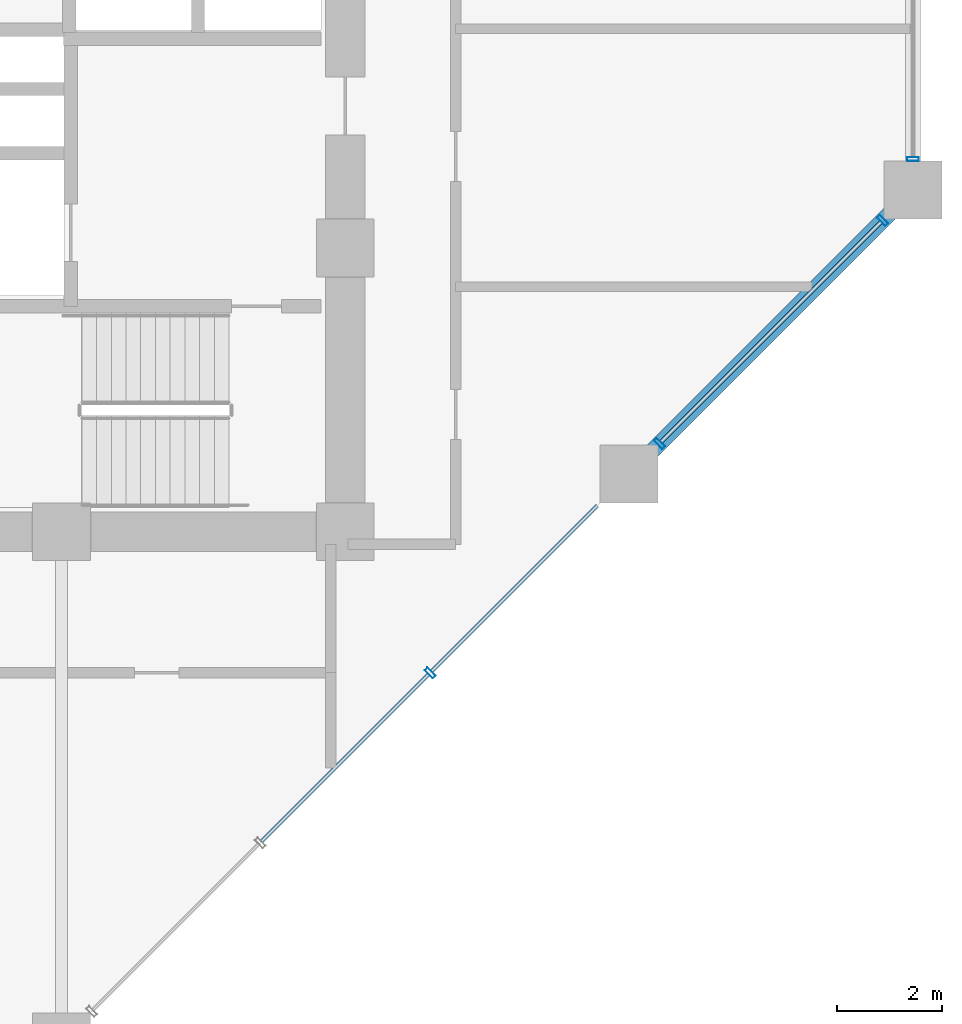
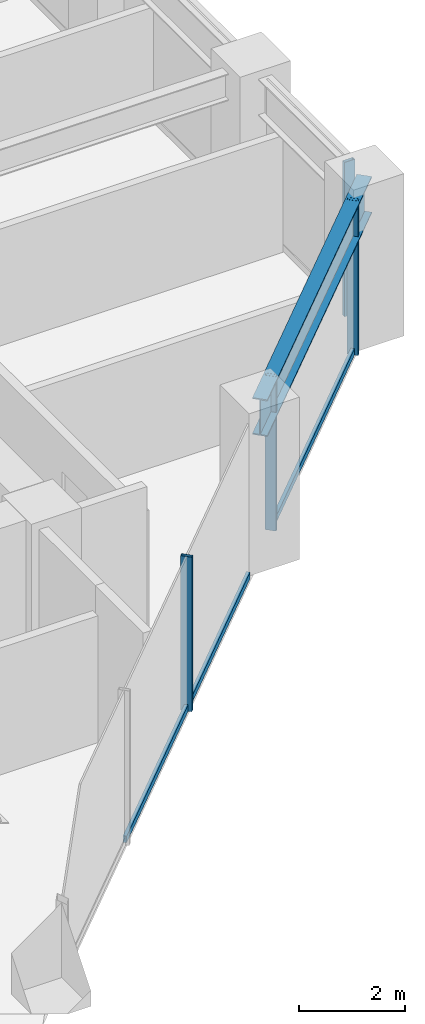
# One storey, part 8 of 25: 7 members, 1 beam, 2 elements without a shape of their own.
"""IFC4 building model written with IfcOpenShell, lengths in metres."""

from ifc_helpers import new_model, si_unit, direction, frame, origin, origin_2d, place, context, subcontext, project, spatial, hollow_rectangle, i_section, extrude, material, layer, layer_set, material_profile, profile_set, type_object, element, aggregate, save


model = new_model("IFC4")

# Units and contexts
model_context = context("Model", 3, precision=1e-05, world=origin(), true_north=direction((0.0, 1.0)))
body_context = subcontext(model_context, "Body", "Model", "MODEL_VIEW")
ifc_project = project(units=[si_unit("LENGTHUNIT", "METRE"), si_unit("AREAUNIT", "SQUARE_METRE"), si_unit("VOLUMEUNIT", "CUBIC_METRE"), si_unit("PLANEANGLEUNIT", "RADIAN"), si_unit("MASSUNIT", "GRAM", prefix="KILO")], contexts=[model_context])

# Site, building, storey
site_placement = place(None, origin())
site = spatial("IfcSite", under=ifc_project, at=site_placement, CompositionType="ELEMENT")
building_placement = place(site_placement, origin())
building = spatial("IfcBuilding", under=site, at=building_placement, Name="Surkhivell Harbour Commons", CompositionType="ELEMENT")
storey_placement = place(building_placement, frame((0.0, 0.0, 109.5)))
storey = spatial("IfcBuildingStorey", under=building, at=storey_placement, Name="L28", CompositionType="ELEMENT", Elevation=109.5)

# Beam
ifc_material_1 = material(Name="Steel S460", Category="steel")
ifc_material_profile_1 = material_profile(ifc_material_1, i_section(OverallWidth=0.2939453125, OverallDepth=0.85107421875, WebThickness=0.01611328125, FlangeThickness=0.02685546875, at=origin_2d()), Name="UB838x292x226")
ifc_profile_set_1 = profile_set([ifc_material_profile_1], Name="Steel S460")
beam_type = type_object("IfcBeamType", Name="BM-SPN-838", PredefinedType="SPANDREL", material=ifc_profile_set_1)
beam_placement = place(storey_placement, frame((16.199951171875, -9.699951171875, 3.14453125), z_axis=(0.707122765516, 0.707090796496, 0.0), x_axis=(-0.707090796496, 0.707122765516, 0.0)))
element("IfcBeam", 1, at=beam_placement, inside=storey, type_object=beam_type, Name="L28 Tube Spandrel (16.2,-9.7)", PredefinedType="SPANDREL", context=body_context, shape_type="SweptSolid", body=[
    extrude(i_section(OverallWidth=0.2939453125, OverallDepth=0.85107421875, WebThickness=0.01611328125, FlangeThickness=0.02685546875, at=origin_2d()), origin(), (0.0, 0.0, 1.0), 7.63671875),
])

# Curtain wall, members
ifc_material_2 = material(Name="Anodised pale-metal aluminium and insulated glazing", Category="aluminium")
ifc_layer = layer(ifc_material_2, 0.205078125)
ifc_layer_set = layer_set([ifc_layer], Name="Anodised pale-metal aluminium and insulated glazing")
curtain_wall_type = type_object("IfcCurtainWallType", Name="CW-SYS-Z2", PredefinedType="NOTDEFINED", material=ifc_layer_set)
curtain_wall_1_placement = place(storey_placement, origin())
curtain_wall_1 = element("IfcCurtainWall", 2, at=curtain_wall_1_placement, inside=storey, type_object=curtain_wall_type, Name="L28 Curtain Wall CW-L28-E01", PredefinedType="NOTDEFINED")
ifc_material_3 = material(Name="Anodised pale-metal aluminium alloy 6063-T6", Category="aluminium")
ifc_material_profile_2 = material_profile(ifc_material_3, hollow_rectangle(XDim=0.074951171875, YDim=0.219970703125, WallThickness=0.00390625, at=origin_2d()), Name="ALU-MULL-75x220")
ifc_profile_set_2 = profile_set([ifc_material_profile_2], Name="Anodised pale-metal aluminium alloy 6063-T6")
member_type_1 = type_object("IfcMemberType", Name="CWM-220", PredefinedType="MULLION", material=ifc_profile_set_2)
member_1_placement = place(storey_placement, frame((12.416015625, -13.48388671875, 0.0), z_axis=(0.0, 0.0, 1.0), x_axis=(0.707106781187, 0.707106781187, 0.0)))
member_1 = element("IfcMember", 3, at=member_1_placement, type_object=member_type_1, Name="CW-Z2 mullion 4", PredefinedType="MULLION", context=body_context, shape_type="SweptSolid", body=[
    extrude(hollow_rectangle(XDim=0.074951171875, YDim=0.219970703125, WallThickness=0.00390625, at=origin_2d()), origin(), (0.0, 0.0, 1.0), 3.570068359375),
])
member_2_placement = place(storey_placement, frame((16.7783203125, -9.121826171875, 0.0), z_axis=(0.0, 0.0, 1.0), x_axis=(0.707106781187, 0.707106781187, 0.0)))
member_2 = element("IfcMember", 4, at=member_2_placement, type_object=member_type_1, Name="CW-Z2 mullion 5", PredefinedType="MULLION", context=body_context, shape_type="SweptSolid", body=[
    extrude(hollow_rectangle(XDim=0.074951171875, YDim=0.219970703125, WallThickness=0.00390625, at=origin_2d()), origin(), (0.0, 0.0, 1.0), 3.570068359375),
])
member_3_placement = place(storey_placement, frame((21.021728515625, -4.878173828125, 0.0), z_axis=(0.0, 0.0, 1.0), x_axis=(0.707106781187, 0.707106781187, 0.0)))
member_3 = element("IfcMember", 5, at=member_3_placement, type_object=member_type_1, Name="CW-Z2 mullion 6", PredefinedType="MULLION", context=body_context, shape_type="SweptSolid", body=[
    extrude(hollow_rectangle(XDim=0.074951171875, YDim=0.219970703125, WallThickness=0.00390625, at=origin_2d()), origin(), (0.0, 0.0, 1.0), 3.570068359375),
])

# Curtain wall, member
curtain_wall_2_placement = place(storey_placement, origin())
curtain_wall_2 = element("IfcCurtainWall", 6, at=curtain_wall_2_placement, inside=storey, type_object=curtain_wall_type, Name="L28 Curtain Wall CW-L28-E02", PredefinedType="NOTDEFINED")
member_4_placement = place(storey_placement, frame((21.60009765625, -3.71044921875, 0.0), z_axis=(0.0, 0.0, 1.0), x_axis=(0.0, 1.0, 0.0)))
member_4 = element("IfcMember", 7, at=member_4_placement, type_object=member_type_1, Name="CW-Z2 mullion 1", PredefinedType="MULLION", context=body_context, shape_type="SweptSolid", body=[
    extrude(hollow_rectangle(XDim=0.074951171875, YDim=0.219970703125, WallThickness=0.00390625, at=origin_2d()), origin(), (0.0, 0.0, 1.0), 3.570068359375),
])
aggregate(curtain_wall_2, [member_4])

# Member
ifc_material_profile_3 = material_profile(ifc_material_3, hollow_rectangle(XDim=0.074951171875, YDim=0.14990234375, WallThickness=0.00341796875, at=origin_2d()), Name="ALU-TRAN-75x150")
ifc_profile_set_3 = profile_set([ifc_material_profile_3], Name="Anodised pale-metal aluminium alloy 6063-T6")
member_type_2 = type_object("IfcMemberType", Name="CWT-150", PredefinedType="USERDEFINED", material=ifc_profile_set_3)
member_5_placement = place(storey_placement, frame((9.21044921875, -16.689697265625, 0.074951171875), z_axis=(0.707106781187, 0.707106781187, 0.0), x_axis=(-0.707106781187, 0.707106781187, 0.0)))
member_5 = element("IfcMember", 8, at=member_5_placement, type_object=member_type_2, Name="CW-Z2 transom 3.1", ObjectType="TRANSOM", PredefinedType="USERDEFINED", context=body_context, shape_type="SweptSolid", body=[
    extrude(hollow_rectangle(XDim=0.074951171875, YDim=0.14990234375, WallThickness=0.00341796875, at=origin_2d()), origin(), (0.0, 0.0, 1.0), 4.49609375),
])

member_6_placement = place(storey_placement, frame((12.442626953125, -13.457275390625, 0.074951171875), z_axis=(0.707106781187, 0.707106781187, 0.0), x_axis=(-0.707106781187, 0.707106781187, 0.0)))
member_6 = element("IfcMember", 9, at=member_6_placement, type_object=member_type_2, Name="CW-Z2 transom 4.1", ObjectType="TRANSOM", PredefinedType="USERDEFINED", context=body_context, shape_type="SweptSolid", body=[
    extrude(hollow_rectangle(XDim=0.074951171875, YDim=0.14990234375, WallThickness=0.00341796875, at=origin_2d()), origin(), (0.0, 0.0, 1.0), 4.45849609375),
])

member_7_placement = place(storey_placement, frame((16.8046875, -9.09521484375, 0.074951171875), z_axis=(0.707127378829, 0.707086182944, 0.0), x_axis=(-0.707086182944, 0.707127378829, 0.0)))
member_7 = element("IfcMember", 10, at=member_7_placement, type_object=member_type_2, Name="CW-Z2 transom 5.1", ObjectType="TRANSOM", PredefinedType="USERDEFINED", context=body_context, shape_type="SweptSolid", body=[
    extrude(hollow_rectangle(XDim=0.074951171875, YDim=0.14990234375, WallThickness=0.00341796875, at=origin_2d()), origin(), (0.0, 0.0, 1.0), 5.92626953125),
])

aggregate(curtain_wall_1, [member_1, member_5, member_6, member_2, member_3, member_7])

save(model, "model.ifc")
